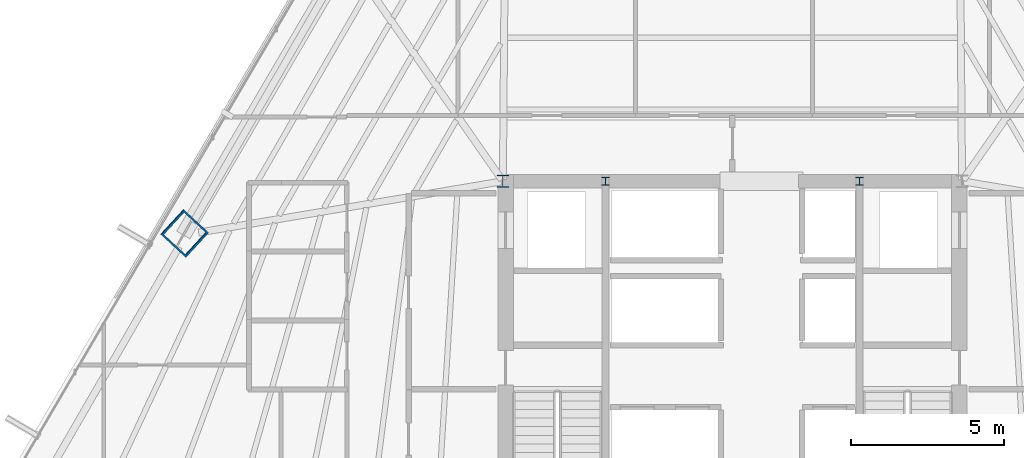
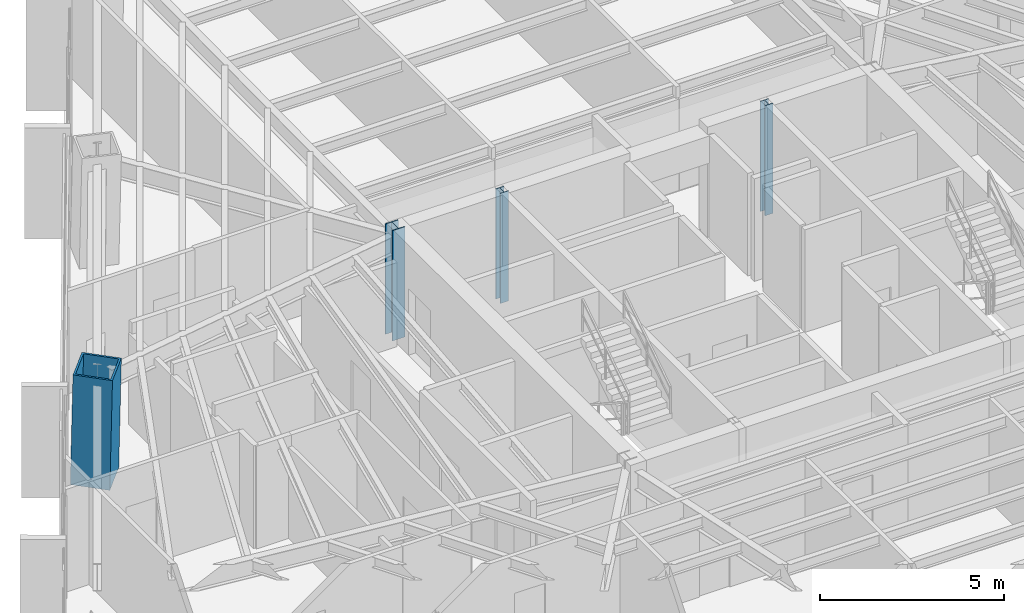
# One storey, part 2 of 37: 4 columns.
"""IFC4 building model written with IfcOpenShell, lengths in metres."""

from ifc_helpers import new_model, si_unit, direction, frame, origin, origin_2d, place, context, subcontext, project, spatial, hollow_rectangle, i_section, extrude, source, transform, mapped, material, material_profile, profile_set, type_object, type_shapes, element, save


model = new_model("IFC4")

# Units and contexts
model_context = context("Model", 3, precision=1e-05, world=origin(), true_north=direction((0.0, 1.0)))
body_context = subcontext(model_context, "Body", "Model", "MODEL_VIEW")
ifc_project = project(units=[si_unit("LENGTHUNIT", "METRE"), si_unit("AREAUNIT", "SQUARE_METRE"), si_unit("VOLUMEUNIT", "CUBIC_METRE"), si_unit("PLANEANGLEUNIT", "RADIAN"), si_unit("MASSUNIT", "GRAM", prefix="KILO")], contexts=[model_context])

# Site, building, storey
site_placement = place(None, origin())
site = spatial("IfcSite", under=ifc_project, at=site_placement, CompositionType="ELEMENT")
building_placement = place(site_placement, origin())
building = spatial("IfcBuilding", under=site, at=building_placement, Name="Caelisora Broadcast Tower", CompositionType="ELEMENT")
storey_placement = place(building_placement, frame((0.0, 0.0, 105.39990234375)))
storey = spatial("IfcBuildingStorey", under=building, at=storey_placement, Name="L27", CompositionType="ELEMENT", Elevation=105.39990234375)

# Columns
ifc_material_1 = material(Name="Steel Grade 350 (AS/NZS 3679.1)", Category="steel")
ifc_material_profile_1 = material_profile(ifc_material_1, i_section(OverallWidth=0.256103515625, OverallDepth=0.260009765625, WebThickness=0.010498046875, FlangeThickness=0.017333984375, at=origin_2d()), Name="Steel Grade 350 (AS/NZS 3679.1)")
ifc_profile_set_1 = profile_set([ifc_material_profile_1], Name="Steel Grade 350 (AS/NZS 3679.1)")
column_type_1 = type_object("IfcColumnType", Name="CC05", PredefinedType="COLUMN", material=ifc_profile_set_1)
shared_shape_1 = source(origin(), body_context, "Body", "SweptSolid", [
    extrude(i_section(OverallWidth=0.256103515625, OverallDepth=0.260009765625, WebThickness=0.010498046875, FlangeThickness=0.017333984375, at=origin_2d()), origin(), (0.0, 0.0, 1.0), 3.650146484375),
])
type_shapes(column_type_1, [shared_shape_1])
for number, where, z_axis, x_axis, name in (
    (1, (33.85009765625, 30.0, 0.0), (0.0, 0.0, 1.0), (1.0, 0.0, 0.0), "L27 column CC05"),
    (2, (42.14990234375, 30.0, 0.0), (0.0, 0.0, 1.0), (1.0, 0.0, 0.0), "L27 column CC05"),
):
    element("IfcColumn", number, at=place(storey_placement, frame(where, z_axis=z_axis, x_axis=x_axis)), inside=storey, type_object=column_type_1, Name=name, PredefinedType="COLUMN", context=body_context, shape_type="MappedRepresentation", body=[
        mapped(shared_shape_1, transform((0.0, 0.0, 0.0), scale=1.0)),
    ])
ifc_material_2 = material(Name="Steel Grade 350 L15 (AS/NZS 3678)", Category="steel")
ifc_material_profile_2 = material_profile(ifc_material_2, hollow_rectangle(XDim=1.10009765625, YDim=1.10009765625, WallThickness=0.06005859375, at=origin_2d()), Name="Steel Grade 350 L15 (AS/NZS 3678)")
ifc_profile_set_2 = profile_set([ifc_material_profile_2], Name="Steel Grade 350 L15 (AS/NZS 3678)")
column_type_2 = type_object("IfcColumnType", Name="MC03", PredefinedType="COLUMN", material=ifc_profile_set_2)
shared_shape_2 = source(origin(), body_context, "Body", "SweptSolid", [
    extrude(hollow_rectangle(XDim=1.10009765625, YDim=1.10009765625, WallThickness=0.06005859375, at=origin_2d()), origin(), (0.0, 0.0, 1.0), 3.65087890625),
])
type_shapes(column_type_2, [shared_shape_2])
column_1_placement = place(storey_placement, frame((20.093505859375, 28.302978515625, 0.0), z_axis=(0.014912316331, -0.013775502979, 0.999793907933), x_axis=(0.678553674548, 0.734550822447, 0.0)))
element("IfcColumn", 3, at=column_1_placement, inside=storey, type_object=column_type_2, Name="L27 column MC03", PredefinedType="COLUMN", context=body_context, shape_type="MappedRepresentation", body=[
    mapped(shared_shape_2, transform((0.0, 0.0, 0.0), scale=1.0)),
])
ifc_material_3 = material(Name="Steel Grade 350 (AS/NZS 3679.2)", Category="steel")
ifc_material_profile_3 = material_profile(ifc_material_3, i_section(OverallWidth=0.39990234375, OverallDepth=0.39990234375, WebThickness=0.02001953125, FlangeThickness=0.031982421875, at=origin_2d()), Name="Steel Grade 350 (AS/NZS 3679.2)")
ifc_profile_set_3 = profile_set([ifc_material_profile_3], Name="Steel Grade 350 (AS/NZS 3679.2)")
column_type_3 = type_object("IfcColumnType", Name="CC02", PredefinedType="COLUMN", material=ifc_profile_set_3)
shared_shape_3 = source(origin(), body_context, "Body", "SweptSolid", [
    extrude(i_section(OverallWidth=0.39990234375, OverallDepth=0.39990234375, WebThickness=0.02001953125, FlangeThickness=0.031982421875, at=origin_2d()), origin(), (0.0, 0.0, 1.0), 3.650146484375),
])
type_shapes(column_type_3, [shared_shape_3])
column_2_placement = place(storey_placement, frame((30.5, 30.0, 0.0), z_axis=(0.0, 0.0, 1.0), x_axis=(1.0, 0.0, 0.0)))
element("IfcColumn", 4, at=column_2_placement, inside=storey, type_object=column_type_3, Name="L27 column CC02", PredefinedType="COLUMN", context=body_context, shape_type="MappedRepresentation", body=[
    mapped(shared_shape_3, transform((0.0, 0.0, 0.0), scale=1.0)),
])

save(model, "model.ifc")
